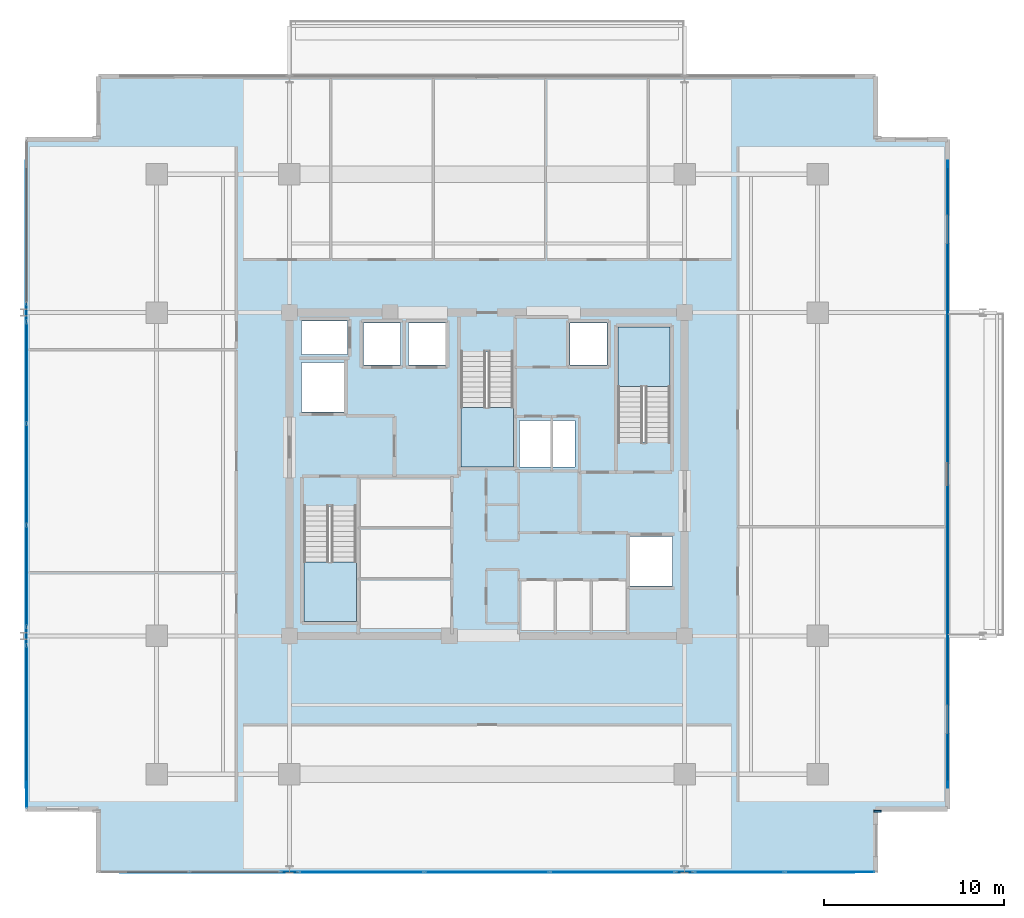
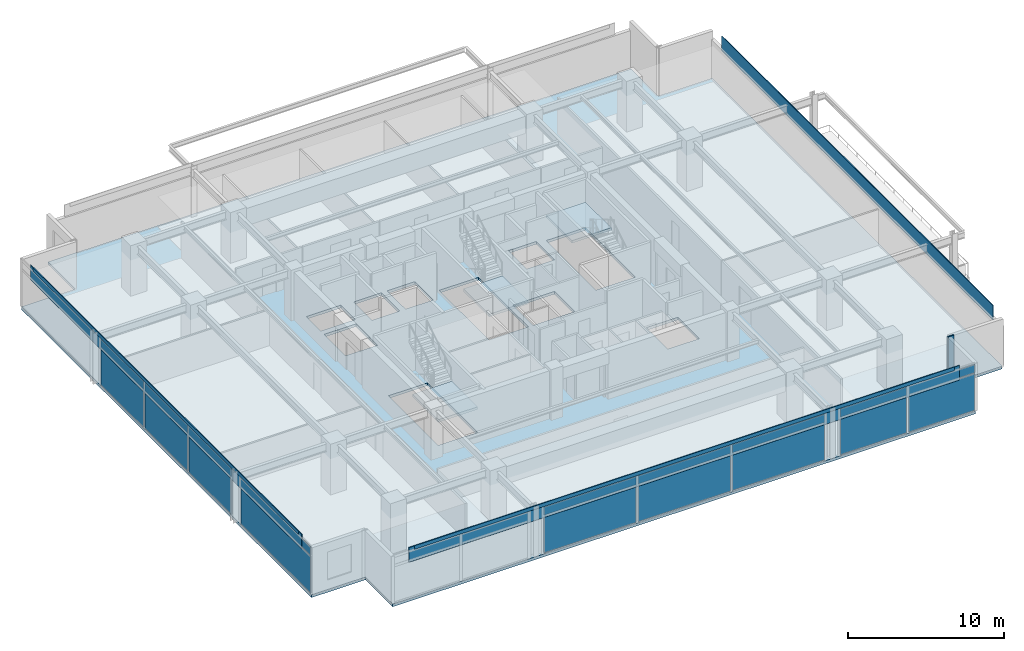
# One storey, part 12 of 21: 25 plates, 4 slabs, 7 elements without a shape of their own.
"""IFC4 building model written with IfcOpenShell, lengths in metres."""

from ifc_helpers import new_model, si_unit, direction, frame, origin, origin_2d, place, context, subcontext, project, spatial, polyline, rectangle, outline, extrude, material, layer, layer_set, type_object, element, aggregate, save


model = new_model("IFC4")

# Units and contexts
model_context = context("Model", 3, precision=1e-05, world=origin(), true_north=direction((0.0, 1.0)))
body_context = subcontext(model_context, "Body", "Model", "MODEL_VIEW")
ifc_project = project(units=[si_unit("LENGTHUNIT", "METRE"), si_unit("AREAUNIT", "SQUARE_METRE"), si_unit("VOLUMEUNIT", "CUBIC_METRE"), si_unit("PLANEANGLEUNIT", "RADIAN"), si_unit("MASSUNIT", "GRAM", prefix="KILO")], contexts=[model_context])

# Site, building, storey
site_placement = place(None, origin())
site = spatial("IfcSite", under=ifc_project, at=site_placement, CompositionType="ELEMENT")
building_placement = place(site_placement, origin())
building = spatial("IfcBuilding", under=site, at=building_placement, Name="Kovane Verandah Tower", CompositionType="ELEMENT")
storey_placement = place(building_placement, frame((0.0, 0.0, 283.199951171875)))
storey = spatial("IfcBuildingStorey", under=building, at=storey_placement, Name="L66", CompositionType="ELEMENT", Elevation=283.199951171875)

# Curtain wall, plates
ifc_material_1 = material(Name="Champagne Anodised Aluminium Frame with Low-E Clear Laminated Glass", Category="aluminium")
curtain_wall_type = type_object("IfcCurtainWallType", Name="CW-SYS-05-HIGH", PredefinedType="NOTDEFINED", material=ifc_material_1)
curtain_wall_1_placement = place(storey_placement, origin())
curtain_wall_1 = element("IfcCurtainWall", 1, at=curtain_wall_1_placement, inside=storey, type_object=curtain_wall_type, Name="L66 S Unitised Curtain Wall-2", PredefinedType="NOTDEFINED")
ifc_material_2 = material(Name="Pale Champagne Anodised Aluminium Insulated Spandrel", Category="aluminium")
ifc_layer_1 = layer(ifc_material_2, 0.0400390625)
ifc_layer_set_1 = layer_set([ifc_layer_1], Name="Pale Champagne Anodised Aluminium Insulated Spandrel")
plate_type_1 = type_object("IfcPlateType", Name="PL-CW-SPD-40", PredefinedType="SHEET", material=ifc_layer_set_1)
plate_1_placement = place(storey_placement, frame((33.01318359375, 5.359619140625, 3.05517578125), z_axis=(0.0, 0.0, 1.0), x_axis=(1.0, 0.0, 0.0)))
plate_1 = element("IfcPlate", 2, at=plate_1_placement, type_object=plate_type_1, Name="L66 S Unitised Curtain Wall-2 Spandrel Panel 1", PredefinedType="SHEET", context=body_context, shape_type="SweptSolid", body=[
    extrude(rectangle(XDim=6.8466796875, YDim=0.0400390625, at=origin_2d()), origin(), (0.0, 0.0, 1.0), 0.639892578125),
])
plate_2_placement = place(storey_placement, frame((40.0, 5.359619140625, 3.05517578125), z_axis=(0.0, 0.0, 1.0), x_axis=(1.0, 0.0, 0.0)))
plate_2 = element("IfcPlate", 3, at=plate_2_placement, type_object=plate_type_1, Name="L66 S Unitised Curtain Wall-2 Spandrel Panel 2", PredefinedType="SHEET", context=body_context, shape_type="SweptSolid", body=[
    extrude(rectangle(XDim=6.8466796875, YDim=0.0400390625, at=origin_2d()), origin(), (0.0, 0.0, 1.0), 0.639892578125),
])
plate_3_placement = place(storey_placement, frame((46.98681640625, 5.359619140625, 3.05517578125), z_axis=(0.0, 0.0, 1.0), x_axis=(1.0, 0.0, 0.0)))
plate_3 = element("IfcPlate", 4, at=plate_3_placement, type_object=plate_type_1, Name="L66 S Unitised Curtain Wall-2 Spandrel Panel 3", PredefinedType="SHEET", context=body_context, shape_type="SweptSolid", body=[
    extrude(rectangle(XDim=6.8466796875, YDim=0.0400390625, at=origin_2d()), origin(), (0.0, 0.0, 1.0), 0.639892578125),
])

curtain_wall_2_placement = place(storey_placement, origin())
curtain_wall_2 = element("IfcCurtainWall", 5, at=curtain_wall_2_placement, inside=storey, type_object=curtain_wall_type, Name="L66 S Unitised Curtain Wall-3", PredefinedType="NOTDEFINED")
plate_4_placement = place(storey_placement, frame((54.0478515625, 5.359619140625, 3.05517578125), z_axis=(0.0, 0.0, 1.0), x_axis=(1.0, 0.0, 0.0)))
plate_4 = element("IfcPlate", 6, at=plate_4_placement, type_object=plate_type_1, Name="L66 S Unitised Curtain Wall-3 Spandrel Panel 1", PredefinedType="SHEET", context=body_context, shape_type="SweptSolid", body=[
    extrude(rectangle(XDim=4.91552734375, YDim=0.0400390625, at=origin_2d()), origin(), (0.0, 0.0, 1.0), 0.639892578125),
])
plate_5_placement = place(storey_placement, frame((59.103515625, 5.359619140625, 3.05517578125), z_axis=(0.0, 0.0, 1.0), x_axis=(1.0, 0.0, 0.0)))
plate_5 = element("IfcPlate", 7, at=plate_5_placement, type_object=plate_type_1, Name="L66 S Unitised Curtain Wall-3 Spandrel Panel 2", PredefinedType="SHEET", context=body_context, shape_type="SweptSolid", body=[
    extrude(rectangle(XDim=4.915771484375, YDim=0.0400390625, at=origin_2d()), origin(), (0.0, 0.0, 1.0), 0.639892578125),
])

curtain_wall_3_placement = place(storey_placement, origin())
curtain_wall_3 = element("IfcCurtainWall", 8, at=curtain_wall_3_placement, inside=storey, type_object=curtain_wall_type, Name="L66 W Unitised Curtain Wall-2", PredefinedType="NOTDEFINED")
plate_6_placement = place(storey_placement, frame((14.36865234375, 33.1533203125, 3.05517578125), z_axis=(0.0, 0.0, 1.0), x_axis=(0.0, -1.0, 0.0)))
plate_6 = element("IfcPlate", 9, at=plate_6_placement, type_object=plate_type_1, Name="L66 W Unitised Curtain Wall-2 Spandrel Panel 1", PredefinedType="SHEET", context=body_context, shape_type="SweptSolid", body=[
    extrude(rectangle(XDim=5.51318359375, YDim=0.0400390625, at=origin_2d()), origin(), (0.0, 0.0, 1.0), 0.639892578125),
])
plate_7_placement = place(storey_placement, frame((14.36865234375, 27.5, 3.05517578125), z_axis=(0.0, 0.0, 1.0), x_axis=(0.0, -1.0, 0.0)))
plate_7 = element("IfcPlate", 10, at=plate_7_placement, type_object=plate_type_1, Name="L66 W Unitised Curtain Wall-2 Spandrel Panel 2", PredefinedType="SHEET", context=body_context, shape_type="SweptSolid", body=[
    extrude(rectangle(XDim=5.51318359375, YDim=0.0400390625, at=origin_2d()), origin(), (0.0, 0.0, 1.0), 0.639892578125),
])
plate_8_placement = place(storey_placement, frame((14.36865234375, 21.8466796875, 3.05517578125), z_axis=(0.0, 0.0, 1.0), x_axis=(0.0, -1.0, 0.0)))
plate_8 = element("IfcPlate", 11, at=plate_8_placement, type_object=plate_type_1, Name="L66 W Unitised Curtain Wall-2 Spandrel Panel 3", PredefinedType="SHEET", context=body_context, shape_type="SweptSolid", body=[
    extrude(rectangle(XDim=5.51318359375, YDim=0.0400390625, at=origin_2d()), origin(), (0.0, 0.0, 1.0), 0.639892578125),
])

# Curtain wall, plate
curtain_wall_4_placement = place(storey_placement, origin())
curtain_wall_4 = element("IfcCurtainWall", 12, at=curtain_wall_4_placement, inside=storey, type_object=curtain_wall_type, Name="L66 W Unitised Curtain Wall-3", PredefinedType="NOTDEFINED")
plate_9_placement = place(storey_placement, frame((14.36865234375, 13.419921875, 3.05517578125), z_axis=(0.0, 0.0, 1.0), x_axis=(0.0, -1.0, 0.0)))
plate_9 = element("IfcPlate", 13, at=plate_9_placement, type_object=plate_type_1, Name="L66 W Unitised Curtain Wall-3 Spandrel Panel 1", PredefinedType="SHEET", context=body_context, shape_type="SweptSolid", body=[
    extrude(rectangle(XDim=8.98046875, YDim=0.0400390625, at=origin_2d()), origin(), (0.0, 0.0, 1.0), 0.639892578125),
])

# Plate
ifc_material_3 = material(Name="Clear Low-E Laminated Double Glazing", Category="glass")
ifc_layer_2 = layer(ifc_material_3, 0.031982421875)
ifc_layer_set_2 = layer_set([ifc_layer_2], Name="Clear Low-E Laminated Double Glazing")
plate_type_2 = type_object("IfcPlateType", Name="PL-CW-VIS-32", PredefinedType="CURTAIN_PANEL", material=ifc_layer_set_2)
plate_10_placement = place(storey_placement, frame((33.01318359375, 5.359619140625, 0.10009765625), z_axis=(0.0, 0.0, 1.0), x_axis=(1.0, 0.0, 0.0)))
plate_10 = element("IfcPlate", 14, at=plate_10_placement, type_object=plate_type_2, Name="L66 S Unitised Curtain Wall-2 Vision Panel 1", PredefinedType="CURTAIN_PANEL", context=body_context, shape_type="SweptSolid", body=[
    extrude(rectangle(XDim=6.8466796875, YDim=0.031982421875, at=origin_2d()), origin(), (0.0, 0.0, 1.0), 2.85498046875),
])

plate_11_placement = place(storey_placement, frame((40.0, 5.359619140625, 0.10009765625), z_axis=(0.0, 0.0, 1.0), x_axis=(1.0, 0.0, 0.0)))
plate_11 = element("IfcPlate", 15, at=plate_11_placement, type_object=plate_type_2, Name="L66 S Unitised Curtain Wall-2 Vision Panel 2", PredefinedType="CURTAIN_PANEL", context=body_context, shape_type="SweptSolid", body=[
    extrude(rectangle(XDim=6.8466796875, YDim=0.031982421875, at=origin_2d()), origin(), (0.0, 0.0, 1.0), 2.85498046875),
])

plate_12_placement = place(storey_placement, frame((46.98681640625, 5.359619140625, 0.10009765625), z_axis=(0.0, 0.0, 1.0), x_axis=(1.0, 0.0, 0.0)))
plate_12 = element("IfcPlate", 16, at=plate_12_placement, type_object=plate_type_2, Name="L66 S Unitised Curtain Wall-2 Vision Panel 3", PredefinedType="CURTAIN_PANEL", context=body_context, shape_type="SweptSolid", body=[
    extrude(rectangle(XDim=6.8466796875, YDim=0.031982421875, at=origin_2d()), origin(), (0.0, 0.0, 1.0), 2.85498046875),
])

aggregate(curtain_wall_1, [plate_10, plate_1, plate_11, plate_2, plate_12, plate_3])

plate_13_placement = place(storey_placement, frame((54.0478515625, 5.359619140625, 0.10009765625), z_axis=(0.0, 0.0, 1.0), x_axis=(1.0, 0.0, 0.0)))
plate_13 = element("IfcPlate", 17, at=plate_13_placement, type_object=plate_type_2, Name="L66 S Unitised Curtain Wall-3 Vision Panel 1", PredefinedType="CURTAIN_PANEL", context=body_context, shape_type="SweptSolid", body=[
    extrude(rectangle(XDim=4.91552734375, YDim=0.031982421875, at=origin_2d()), origin(), (0.0, 0.0, 1.0), 2.85498046875),
])

plate_14_placement = place(storey_placement, frame((59.103515625, 5.359619140625, 0.10009765625), z_axis=(0.0, 0.0, 1.0), x_axis=(1.0, 0.0, 0.0)))
plate_14 = element("IfcPlate", 18, at=plate_14_placement, type_object=plate_type_2, Name="L66 S Unitised Curtain Wall-3 Vision Panel 2", PredefinedType="CURTAIN_PANEL", context=body_context, shape_type="SweptSolid", body=[
    extrude(rectangle(XDim=4.915771484375, YDim=0.031982421875, at=origin_2d()), origin(), (0.0, 0.0, 1.0), 2.85498046875),
])

aggregate(curtain_wall_2, [plate_13, plate_4, plate_14, plate_5])

plate_15_placement = place(storey_placement, frame((14.36865234375, 33.1533203125, 0.10009765625), z_axis=(0.0, 0.0, 1.0), x_axis=(0.0, -1.0, 0.0)))
plate_15 = element("IfcPlate", 19, at=plate_15_placement, type_object=plate_type_2, Name="L66 W Unitised Curtain Wall-2 Vision Panel 1", PredefinedType="CURTAIN_PANEL", context=body_context, shape_type="SweptSolid", body=[
    extrude(rectangle(XDim=5.51318359375, YDim=0.031982421875, at=origin_2d()), origin(), (0.0, 0.0, 1.0), 2.85498046875),
])

plate_16_placement = place(storey_placement, frame((14.36865234375, 27.5, 0.10009765625), z_axis=(0.0, 0.0, 1.0), x_axis=(0.0, -1.0, 0.0)))
plate_16 = element("IfcPlate", 20, at=plate_16_placement, type_object=plate_type_2, Name="L66 W Unitised Curtain Wall-2 Vision Panel 2", PredefinedType="CURTAIN_PANEL", context=body_context, shape_type="SweptSolid", body=[
    extrude(rectangle(XDim=5.51318359375, YDim=0.031982421875, at=origin_2d()), origin(), (0.0, 0.0, 1.0), 2.85498046875),
])

plate_17_placement = place(storey_placement, frame((14.36865234375, 21.8466796875, 0.10009765625), z_axis=(0.0, 0.0, 1.0), x_axis=(0.0, -1.0, 0.0)))
plate_17 = element("IfcPlate", 21, at=plate_17_placement, type_object=plate_type_2, Name="L66 W Unitised Curtain Wall-2 Vision Panel 3", PredefinedType="CURTAIN_PANEL", context=body_context, shape_type="SweptSolid", body=[
    extrude(rectangle(XDim=5.51318359375, YDim=0.031982421875, at=origin_2d()), origin(), (0.0, 0.0, 1.0), 2.85498046875),
])

aggregate(curtain_wall_3, [plate_15, plate_6, plate_16, plate_7, plate_17, plate_8])

plate_18_placement = place(storey_placement, frame((14.36865234375, 13.419921875, 0.10009765625), z_axis=(0.0, 0.0, 1.0), x_axis=(0.0, -1.0, 0.0)))
plate_18 = element("IfcPlate", 22, at=plate_18_placement, type_object=plate_type_2, Name="L66 W Unitised Curtain Wall-3 Vision Panel 1", PredefinedType="CURTAIN_PANEL", context=body_context, shape_type="SweptSolid", body=[
    extrude(rectangle(XDim=8.98046875, YDim=0.031982421875, at=origin_2d()), origin(), (0.0, 0.0, 1.0), 2.85498046875),
])

aggregate(curtain_wall_4, [plate_18, plate_9])

# Plates
ifc_material_4 = material(Name="Timber-Toned Subtropical Aluminium Vertical Blade", Category="wood")
ifc_layer_3 = layer(ifc_material_4, 0.090087890625)
ifc_layer_set_3 = layer_set([ifc_layer_3], Name="Timber-Toned Subtropical Aluminium Vertical Blade")
plate_type_3 = type_object("IfcPlateType", Name="PL-FIN-90", PredefinedType="USERDEFINED", material=ifc_layer_set_3)
plate_19_placement = place(storey_placement, frame((61.751220703125, 8.739501953125, -0.02001953125), z_axis=(0.0, 0.0, 1.0), x_axis=(1.0, 0.0, 0.0)))
element("IfcPlate", 23, at=plate_19_placement, inside=storey, type_object=plate_type_3, Name="L66 SE Timber-Toned Vertical Corner Fin", ObjectType="FIN", PredefinedType="USERDEFINED", context=body_context, shape_type="SweptSolid", body=[
    extrude(rectangle(XDim=0.419921875, YDim=0.090087890625, at=origin_2d()), origin(), (0.0, 0.0, 1.0), 3.844970703125),
])
ifc_material_5 = material(Name="Perforated Pale Champagne Anodised Aluminium Solar Screen", Category="aluminium")
ifc_layer_4 = layer(ifc_material_5, 0.050048828125)
ifc_layer_set_4 = layer_set([ifc_layer_4], Name="Perforated Pale Champagne Anodised Aluminium Solar Screen")
plate_type_4 = type_object("IfcPlateType", Name="PL-SCREEN-50", PredefinedType="USERDEFINED", material=ifc_layer_set_4)
plate_20_placement = place(storey_placement, frame((40.0, 5.344482421875, 2.885009765625), z_axis=(0.0, 0.0, 1.0), x_axis=(1.0, 0.0, 0.0)))
element("IfcPlate", 24, at=plate_20_placement, inside=storey, type_object=plate_type_4, Name="L66 S Perforated Champagne-Gold Solar Screen", ObjectType="SCREEN", PredefinedType="USERDEFINED", context=body_context, shape_type="SweptSolid", body=[
    extrude(rectangle(XDim=40.863037109375, YDim=0.050048828125, at=origin_2d()), origin(), (0.0, 0.0, 1.0), 1.14990234375),
])
for number, where, z_axis, x_axis, name in (
    (25, (65.646240234375, 27.5, 2.885009765625), (0.0, 0.0, 1.0), (0.0, 1.0, 0.0), "L66 E Perforated Champagne-Gold Solar Screen"),
    (26, (14.353759765625, 27.5, 2.885009765625), (0.0, 0.0, 1.0), (0.0, -1.0, 0.0), "L66 W Perforated Champagne-Gold Solar Screen"),
):
    element("IfcPlate", number, at=place(storey_placement, frame(where, z_axis=z_axis, x_axis=x_axis)), inside=storey, type_object=plate_type_4, Name=name, ObjectType="SCREEN", PredefinedType="USERDEFINED", context=body_context, shape_type="SweptSolid", body=[
        extrude(rectangle(XDim=34.881103515625, YDim=0.050048828125, at=origin_2d()), origin(), (0.0, 0.0, 1.0), 1.14990234375),
    ])
ifc_material_6 = material(Name="Extruded Pale-Bronze Aluminium Aerofoil Sunshade", Category="aluminium")
ifc_layer_5 = layer(ifc_material_6, 0.06005859375)
ifc_layer_set_5 = layer_set([ifc_layer_5], Name="Extruded Pale-Bronze Aluminium Aerofoil Sunshade")
plate_type_5 = type_object("IfcPlateType", Name="PL-SUNSHADE-60", PredefinedType="USERDEFINED", material=ifc_layer_set_5)
plate_21_placement = place(storey_placement, frame((40.0, 5.339599609375, 3.76513671875), z_axis=(0.0, 0.0, 1.0), x_axis=(1.0, 0.0, 0.0)))
element("IfcPlate", 27, at=plate_21_placement, inside=storey, type_object=plate_type_5, Name="L66 S Subtropical Aerofoil Sunshade", ObjectType="SUNSHADE", PredefinedType="USERDEFINED", context=body_context, shape_type="SweptSolid", body=[
    extrude(rectangle(XDim=40.06298828125, YDim=0.06005859375, at=origin_2d()), origin(), (0.0, 0.0, 1.0), 0.280029296875),
])
for number, where, z_axis, x_axis, name in (
    (28, (65.6513671875, 27.5, 3.76513671875), (0.0, 0.0, 1.0), (0.0, 1.0, 0.0), "L66 E Subtropical Aerofoil Sunshade"),
    (29, (14.3486328125, 27.5, 3.76513671875), (0.0, 0.0, 1.0), (0.0, -1.0, 0.0), "L66 W Subtropical Aerofoil Sunshade"),
):
    element("IfcPlate", number, at=place(storey_placement, frame(where, z_axis=z_axis, x_axis=x_axis)), inside=storey, type_object=plate_type_5, Name=name, ObjectType="SUNSHADE", PredefinedType="USERDEFINED", context=body_context, shape_type="SweptSolid", body=[
        extrude(rectangle(XDim=34.0810546875, YDim=0.06005859375, at=origin_2d()), origin(), (0.0, 0.0, 1.0), 0.280029296875),
    ])

# Slab
ifc_material_7 = material(Name="Concrete C45/55", Category="concrete")
ifc_layer_6 = layer(ifc_material_7, 0.215087890625)
ifc_layer_set_6 = layer_set([ifc_layer_6], Name="Concrete C45/55")
slab_type_1 = type_object("IfcSlabType", Name="SL-HIGH-215", PredefinedType="FLOOR", material=ifc_layer_set_6)
slab_1_placement = place(storey_placement, frame((0.0, 0.0, -0.21484375)))
element("IfcSlab", 30, at=slab_1_placement, inside=storey, type_object=slab_type_1, Name="L66 Structural Floor Slab", PredefinedType="FLOOR", context=body_context, shape_type="SweptSolid", body=[
    extrude(outline(polyline([(18.36865234375, 5.359619140625), (61.63134765625, 5.359619140625), (61.63134765625, 8.859619140625), (65.63134765625, 8.859619140625), (65.63134765625, 46.140380859375), (61.63134765625, 46.140380859375), (61.63134765625, 49.640380859375), (18.36865234375, 49.640380859375), (18.36865234375, 46.140380859375), (14.36865234375, 46.140380859375), (14.36865234375, 8.859619140625), (18.36865234375, 8.859619140625), (18.36865234375, 5.359619140625)]), holes=[polyline([(29.800048828125, 19.300048828125), (32.719970703125, 19.300048828125), (32.719970703125, 25.705078125), (29.800048828125, 25.705078125), (29.800048828125, 19.300048828125)]), polyline([(47.280029296875, 29.294921875), (50.199951171875, 29.294921875), (50.199951171875, 35.699951171875), (47.280029296875, 35.699951171875), (47.280029296875, 29.294921875)]), polyline([(38.5400390625, 27.89990234375), (41.4599609375, 27.89990234375), (41.4599609375, 34.304931640625), (38.5400390625, 34.304931640625), (38.5400390625, 27.89990234375)]), polyline([(29.669921875, 30.969970703125), (32.030029296875, 30.969970703125), (32.030029296875, 33.72998046875), (29.669921875, 33.72998046875), (29.669921875, 30.969970703125)]), polyline([(47.969970703125, 21.27001953125), (50.330078125, 21.27001953125), (50.330078125, 24.030029296875), (47.969970703125, 24.030029296875), (47.969970703125, 21.27001953125)]), polyline([(29.669921875, 34.169921875), (32.22998046875, 34.169921875), (32.22998046875, 36.030029296875), (29.669921875, 36.030029296875), (29.669921875, 34.169921875)]), polyline([(33.1201171875, 33.570068359375), (35.179931640625, 33.570068359375), (35.179931640625, 35.929931640625), (33.1201171875, 35.929931640625), (33.1201171875, 33.570068359375)]), polyline([(35.6201171875, 33.570068359375), (37.679931640625, 33.570068359375), (37.679931640625, 35.929931640625), (35.6201171875, 35.929931640625), (35.6201171875, 33.570068359375)]), polyline([(44.6201171875, 33.570068359375), (46.679931640625, 33.570068359375), (46.679931640625, 35.929931640625), (44.6201171875, 35.929931640625), (44.6201171875, 33.570068359375)]), polyline([(41.800048828125, 27.89990234375), (44.89990234375, 27.89990234375), (44.89990234375, 30.5), (41.800048828125, 30.5), (41.800048828125, 27.89990234375)])]), origin(), (0.0, 0.0, 1.0), 0.21484375),
])

# Stair, slab
stair_type = type_object("IfcStairType", Name="ST-CORE-1380", PredefinedType="HALF_TURN_STAIR", material=ifc_material_7)
stair_1_placement = place(storey_placement, origin())
stair_1 = element("IfcStair", 31, at=stair_1_placement, inside=storey, type_object=stair_type, Name="L66 Exit Stair ST-01", PredefinedType="HALF_TURN_STAIR")
ifc_layer_7 = layer(ifc_material_7, 0.199951171875)
ifc_layer_set_7 = layer_set([ifc_layer_7], Name="Concrete C45/55")
slab_type_2 = type_object("IfcSlabType", Name="SL-LAND-200", PredefinedType="LANDING", material=ifc_layer_set_7)
slab_2_placement = place(storey_placement, frame((0.0, 0.0, 1.800048828125)))
slab_2 = element("IfcSlab", 32, at=slab_2_placement, type_object=slab_type_2, Name="ST-01 landing 1", PredefinedType="LANDING", context=body_context, shape_type="SweptSolid", body=[
    extrude(outline(polyline([(29.800048828125, 22.614990234375), (29.800048828125, 19.300048828125), (32.719970703125, 19.300048828125), (32.719970703125, 22.614990234375), (29.800048828125, 22.614990234375)])), origin(), (0.0, 0.0, 1.0), 0.199951171875),
])
aggregate(stair_1, [slab_2])

stair_2_placement = place(storey_placement, origin())
stair_2 = element("IfcStair", 33, at=stair_2_placement, inside=storey, type_object=stair_type, Name="L66 Exit Stair ST-02", PredefinedType="HALF_TURN_STAIR")
slab_3_placement = place(storey_placement, frame((0.0, 0.0, 1.800048828125)))
slab_3 = element("IfcSlab", 34, at=slab_3_placement, type_object=slab_type_2, Name="ST-02 landing 1", PredefinedType="LANDING", context=body_context, shape_type="SweptSolid", body=[
    extrude(outline(polyline([(50.199951171875, 32.385009765625), (50.199951171875, 35.699951171875), (47.280029296875, 35.699951171875), (47.280029296875, 32.385009765625), (50.199951171875, 32.385009765625)])), origin(), (0.0, 0.0, 1.0), 0.199951171875),
])
aggregate(stair_2, [slab_3])

stair_3_placement = place(storey_placement, origin())
stair_3 = element("IfcStair", 35, at=stair_3_placement, inside=storey, type_object=stair_type, Name="L66 Exit Stair ST-03", PredefinedType="HALF_TURN_STAIR")
slab_4_placement = place(storey_placement, frame((0.0, 0.0, 1.800048828125)))
slab_4 = element("IfcSlab", 36, at=slab_4_placement, type_object=slab_type_2, Name="ST-03 landing 1", PredefinedType="LANDING", context=body_context, shape_type="SweptSolid", body=[
    extrude(outline(polyline([(38.5400390625, 31.215087890625), (38.5400390625, 27.89990234375), (41.4599609375, 27.89990234375), (41.4599609375, 31.215087890625), (38.5400390625, 31.215087890625)])), origin(), (0.0, 0.0, 1.0), 0.199951171875),
])
aggregate(stair_3, [slab_4])

save(model, "model.ifc")
